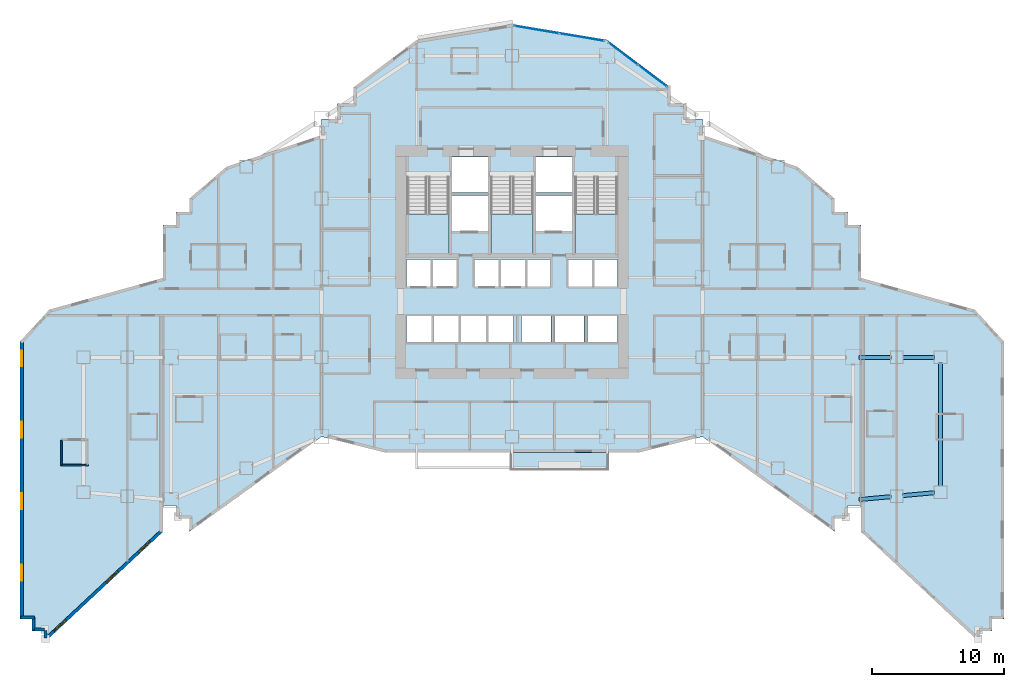
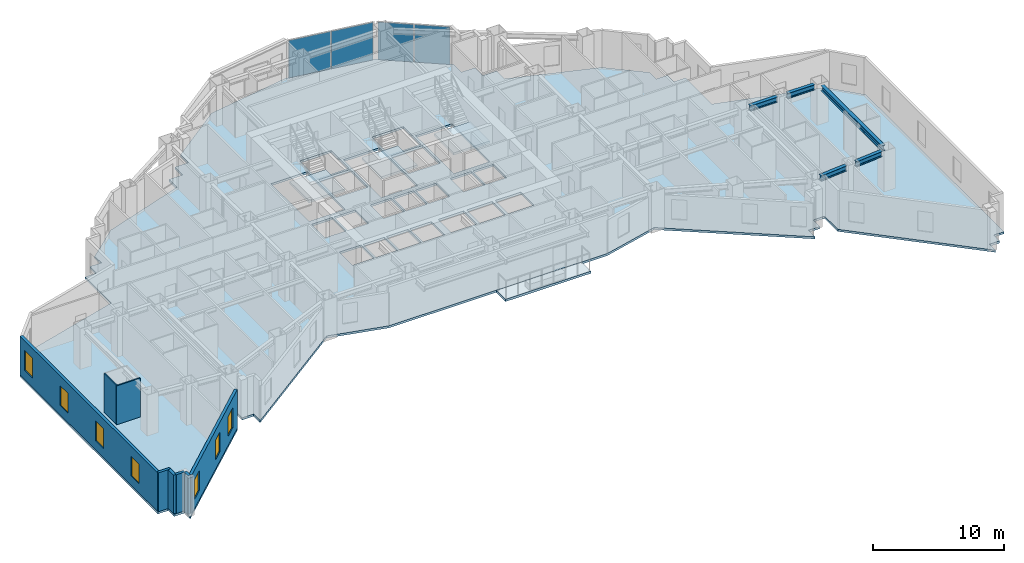
# One storey, part 6 of 17: 8 walls, 7 windows, 5 beams, 5 slabs, 4 plates, 7 openings, 5 elements without a shape of their own.
"""IFC4 building model written with IfcOpenShell, lengths in metres."""

from ifc_helpers import new_model, si_unit, direction, frame, frame_2d, origin, origin_2d, place, context, subcontext, project, spatial, polyline, rectangle, i_section, outline, extrude, material, layer, layer_set, material_profile, profile_set, type_object, element, fill, aggregate, save


model = new_model("IFC4")

# Units and contexts
model_context = context("Model", 3, precision=1e-05, world=origin(), true_north=direction((0.0, 1.0)))
body_context = subcontext(model_context, "Body", "Model", "MODEL_VIEW")
ifc_project = project(units=[si_unit("LENGTHUNIT", "METRE"), si_unit("AREAUNIT", "SQUARE_METRE"), si_unit("VOLUMEUNIT", "CUBIC_METRE"), si_unit("PLANEANGLEUNIT", "RADIAN"), si_unit("MASSUNIT", "GRAM", prefix="KILO")], contexts=[model_context])

# Site, building, storey
site_placement = place(None, origin())
site = spatial("IfcSite", under=ifc_project, at=site_placement, CompositionType="ELEMENT")
building_placement = place(site_placement, origin())
building = spatial("IfcBuilding", under=site, at=building_placement, Name="Haolan Belvedere Tower", CompositionType="ELEMENT")
storey_placement = place(building_placement, frame((0.0, 0.0, 81.800048828125)))
storey = spatial("IfcBuildingStorey", under=building, at=storey_placement, Name="L20", CompositionType="ELEMENT", Elevation=81.800048828125)

# Beams
ifc_material_1 = material(Name="Steel Q355B", Category="steel")
ifc_material_profile = material_profile(ifc_material_1, i_section(OverallWidth=0.300048828125, OverallDepth=0.488037109375, WebThickness=0.010986328125, FlangeThickness=0.01806640625, FilletRadius=0.02587890625, at=origin_2d()), Name="Steel Q355B")
ifc_profile_set = profile_set([ifc_material_profile], Name="Steel Q355B")
beam_type = type_object("IfcBeamType", Name="BM-HM488x300x11x18", PredefinedType="SPANDREL", material=ifc_profile_set)
beam_placement = place(storey_placement, frame((70.800048828125, 17.85009765625, 3.35595703125), z_axis=(0.0, 1.0, 0.0), x_axis=(-1.0, 0.0, 0.0)))
element("IfcBeam", 1, at=beam_placement, inside=storey, type_object=beam_type, Name="L20 spandrel girder MC-T5-SE-MC-T5-NE", PredefinedType="SPANDREL", context=body_context, shape_type="SweptSolid", body=[
    extrude(i_section(OverallWidth=0.300048828125, OverallDepth=0.488037109375, WebThickness=0.010986328125, FlangeThickness=0.01806640625, FilletRadius=0.02587890625, at=origin_2d()), origin(), (0.0, 0.0, 1.0), 9.2998046875),
])
for number, where, z_axis, x_axis, name in (
    (2, (64.648193359375, 16.8408203125, 3.35595703125), (0.995893206468, 0.090535746043, 0.0), (-0.090535746043, 0.995893206468, 0.0), "L20 spandrel girder MC-T4-SE-TC-T5-M1"),
    (3, (67.9482421875, 17.140625, 3.35595703125), (0.995884080761, 0.090636072764, 0.0), (-0.090636072764, 0.995884080761, 0.0), "L20 spandrel girder TC-T5-M1-MC-T5-SE"),
):
    element("IfcBeam", number, at=place(storey_placement, frame(where, z_axis=z_axis, x_axis=x_axis)), inside=storey, type_object=beam_type, Name=name, PredefinedType="SPANDREL", context=body_context, shape_type="SweptSolid", body=[
        extrude(i_section(OverallWidth=0.300048828125, OverallDepth=0.488037109375, WebThickness=0.010986328125, FlangeThickness=0.01806640625, FilletRadius=0.02587890625, at=origin_2d()), origin(), (0.0, 0.0, 1.0), 2.41357421875),
    ])
for number, where, z_axis, x_axis, name in (
    (4, (64.64990234375, 27.60009765625, 3.35595703125), (1.0, 0.0, 0.0), (0.0, 1.0, 0.0), "L20 spandrel girder MC-T4-ME-TC-T5-M2"),
    (5, (67.949951171875, 27.60009765625, 3.35595703125), (1.0, 0.0, 0.0), (0.0, 1.0, 0.0), "L20 spandrel girder TC-T5-M2-MC-T5-NE"),
):
    element("IfcBeam", number, at=place(storey_placement, frame(where, z_axis=z_axis, x_axis=x_axis)), inside=storey, type_object=beam_type, Name=name, PredefinedType="SPANDREL", context=body_context, shape_type="SweptSolid", body=[
        extrude(i_section(OverallWidth=0.300048828125, OverallDepth=0.488037109375, WebThickness=0.010986328125, FlangeThickness=0.01806640625, FilletRadius=0.02587890625, at=origin_2d()), origin(), (0.0, 0.0, 1.0), 2.400146484375),
    ])

# Curtain wall, plates
ifc_material_2 = material(Name="Anodised champagne-silver aluminium 6063-T6 and Low-E glass", Category="aluminium")
ifc_layer_1 = layer(ifc_material_2, 0.1650390625, Name="Anodised champagne-silver aluminium 6063-T6 and Low-E glass")
ifc_layer_set_1 = layer_set([ifc_layer_1], Name="Anodised champagne-silver aluminium 6063-T6 and Low-E glass")
curtain_wall_type = type_object("IfcCurtainWallType", Name="CW-SYS-02", PredefinedType="NOTDEFINED", material=ifc_layer_set_1)
curtain_wall_1_placement = place(storey_placement, origin())
curtain_wall_1 = element("IfcCurtainWall", 6, at=curtain_wall_1_placement, inside=storey, type_object=curtain_wall_type, Name="L20 CW-SYS-02 ribbon curtain wall 41.1", PredefinedType="NOTDEFINED")
ifc_material_3 = material(Name="Double silver Low-E laminated insulating glass", Category="glass")
ifc_layer_2 = layer(ifc_material_3, 0.02587890625, Name="Double silver Low-E laminated insulating glass")
ifc_layer_set_2 = layer_set([ifc_layer_2], Name="Double silver Low-E laminated insulating glass")
plate_type = type_object("IfcPlateType", Name="CW-SYS-02-PNL", PredefinedType="CURTAIN_PANEL", material=ifc_layer_set_2)
plate_1_placement = place(storey_placement, frame((49.02978515625, 48.877685546875, 0.05517578125), z_axis=(0.0, 0.0, 1.0), x_axis=(-0.800004262313, 0.599994316874, 0.0)))
plate_1 = element("IfcPlate", 7, at=plate_1_placement, type_object=plate_type, Name="CW-02 panel 1.1", PredefinedType="CURTAIN_PANEL", context=body_context, shape_type="SweptSolid", body=[
    extrude(rectangle(XDim=2.725341796875, YDim=0.02587890625, at=origin_2d()), origin(), (0.0, 0.0, 1.0), 3.489990234375),
])
plate_2_placement = place(storey_placement, frame((46.801513671875, 50.548828125, 0.05517578125), z_axis=(0.0, 0.0, 1.0), x_axis=(-0.800004262313, 0.599994316874, 0.0)))
plate_2 = element("IfcPlate", 8, at=plate_2_placement, type_object=plate_type, Name="CW-02 panel 2.1", PredefinedType="CURTAIN_PANEL", context=body_context, shape_type="SweptSolid", body=[
    extrude(rectangle(XDim=2.725341796875, YDim=0.02587890625, at=origin_2d()), origin(), (0.0, 0.0, 1.0), 3.489990234375),
])
aggregate(curtain_wall_1, [plate_1, plate_2])

curtain_wall_2_placement = place(storey_placement, origin())
curtain_wall_2 = element("IfcCurtainWall", 9, at=curtain_wall_2_placement, inside=storey, type_object=curtain_wall_type, Name="L20 CW-SYS-02 ribbon curtain wall 42.1", PredefinedType="NOTDEFINED")
plate_3_placement = place(storey_placement, frame((43.6796875, 51.79833984375, 0.05517578125), z_axis=(0.0, 0.0, 1.0), x_axis=(-0.9863931483, 0.16440364043, 0.0)))
plate_3 = element("IfcPlate", 10, at=plate_3_placement, type_object=plate_type, Name="CW-02 panel 1.1", PredefinedType="CURTAIN_PANEL", context=body_context, shape_type="SweptSolid", body=[
    extrude(rectangle(XDim=3.39501953125, YDim=0.02587890625, at=origin_2d()), origin(), (0.0, 0.0, 1.0), 3.489990234375),
])
plate_4_placement = place(storey_placement, frame((40.271728515625, 52.366455078125, 0.05517578125), z_axis=(0.0, 0.0, 1.0), x_axis=(-0.9863931483, 0.16440364043, 0.0)))
plate_4 = element("IfcPlate", 11, at=plate_4_placement, type_object=plate_type, Name="CW-02 panel 2.1", PredefinedType="CURTAIN_PANEL", context=body_context, shape_type="SweptSolid", body=[
    extrude(rectangle(XDim=3.39501953125, YDim=0.02587890625, at=origin_2d()), origin(), (0.0, 0.0, 1.0), 3.489990234375),
])
aggregate(curtain_wall_2, [plate_3, plate_4])

# Slabs
ifc_material_4 = material(Name="Concrete C40/50", Category="concrete")
ifc_layer_3 = layer(ifc_material_4, 0.2099609375, Name="Concrete C40/50")
ifc_layer_set_3 = layer_set([ifc_layer_3], Name="Concrete C40/50")
slab_type_1 = type_object("IfcSlabType", Name="SL-BAL-210", PredefinedType="FLOOR", material=ifc_layer_set_3)
slab_1_placement = place(storey_placement, frame((0.0, 0.0, -0.22998046875)))
element("IfcSlab", 12, at=slab_1_placement, inside=storey, type_object=slab_type_1, Name="L20 structural tree-planter balcony slab BAL-L20-S1", PredefinedType="FLOOR", context=body_context, shape_type="SweptSolid", body=[
    extrude(outline(polyline([(38.25, 19.02001953125), (45.75, 19.02001953125), (45.75, 20.39990234375), (38.25, 20.39990234375), (38.25, 19.02001953125)])), origin(), (0.0, 0.0, 1.0), 0.2099609375),
])
ifc_layer_4 = layer(ifc_material_4, 0.199951171875, Name="Concrete C40/50")
ifc_layer_set_4 = layer_set([ifc_layer_4], Name="Concrete C40/50")
slab_type_2 = type_object("IfcSlabType", Name="SL-FLR-200", PredefinedType="FLOOR", material=ifc_layer_set_4)
slab_2_placement = place(storey_placement, frame((0.0, 0.0, -0.199951171875)))
element("IfcSlab", 13, at=slab_2_placement, inside=storey, type_object=slab_type_2, Name="L20 structural floor slab", PredefinedType="FLOOR", context=body_context, shape_type="SweptSolid", body=[
    extrude(outline(polyline([(1.199951171875, 28.800048828125), (1.199951171875, 8.39990234375), (1.199951171875, 7.800048828125), (2.10009765625, 7.800048828125), (2.10009765625, 6.89990234375), (3.0, 6.89990234375), (3.0, 6.0), (12.0, 14.39990234375), (12.0, 16.39990234375), (13.0, 16.39990234375), (13.0, 15.39990234375), (14.0, 15.39990234375), (14.0, 14.39990234375), (24.0, 21.60009765625), (28.800048828125, 20.39990234375), (48.0, 20.39990234375), (52.800048828125, 21.60009765625), (62.800048828125, 14.39990234375), (62.800048828125, 15.39990234375), (63.800048828125, 15.39990234375), (63.800048828125, 16.39990234375), (64.800048828125, 16.39990234375), (64.800048828125, 14.39990234375), (73.800048828125, 6.0), (73.800048828125, 6.89990234375), (74.699951171875, 6.89990234375), (74.699951171875, 7.800048828125), (75.60009765625, 7.800048828125), (75.60009765625, 28.800048828125), (73.39990234375, 31.199951171875), (64.800048828125, 33.60009765625), (64.800048828125, 37.60009765625), (63.800048828125, 37.60009765625), (63.800048828125, 38.60009765625), (62.800048828125, 38.60009765625), (62.800048828125, 39.60009765625), (60.0, 42.0), (52.800048828125, 44.39990234375), (52.800048828125, 45.60009765625), (51.60009765625, 45.60009765625), (51.60009765625, 46.800048828125), (50.39990234375, 46.800048828125), (50.39990234375, 48.0), (45.60009765625, 51.60009765625), (38.39990234375, 52.800048828125), (31.199951171875, 51.60009765625), (26.39990234375, 48.0), (26.39990234375, 46.800048828125), (25.199951171875, 46.800048828125), (25.199951171875, 45.60009765625), (24.0, 45.60009765625), (24.0, 44.39990234375), (16.800048828125, 42.0), (14.0, 39.60009765625), (14.0, 38.60009765625), (13.0, 38.60009765625), (13.0, 37.60009765625), (12.0, 37.60009765625), (12.0, 33.60009765625), (3.39990234375, 31.199951171875), (1.199951171875, 28.800048828125)]), holes=[polyline([(30.449951171875, 41.22998046875), (30.449951171875, 35.449951171875), (33.6298828125, 35.449951171875), (33.6298828125, 41.22998046875), (30.449951171875, 41.22998046875)]), polyline([(36.81005859375, 41.22998046875), (36.81005859375, 35.449951171875), (39.989990234375, 35.449951171875), (39.989990234375, 41.22998046875), (36.81005859375, 41.22998046875)]), polyline([(43.169921875, 41.22998046875), (43.169921875, 35.449951171875), (46.35009765625, 35.449951171875), (46.35009765625, 41.22998046875), (43.169921875, 41.22998046875)]), polyline([(33.830078125, 40.050048828125), (36.610107421875, 40.050048828125), (36.610107421875, 42.75), (33.830078125, 42.75), (33.830078125, 40.050048828125)]), polyline([(33.830078125, 37.14990234375), (36.610107421875, 37.14990234375), (36.610107421875, 39.85009765625), (33.830078125, 39.85009765625), (33.830078125, 37.14990234375)]), polyline([(40.18994140625, 40.050048828125), (42.969970703125, 40.050048828125), (42.969970703125, 42.75), (40.18994140625, 42.75), (40.18994140625, 40.050048828125)]), polyline([(40.18994140625, 37.14990234375), (42.969970703125, 37.14990234375), (42.969970703125, 39.85009765625), (40.18994140625, 39.85009765625), (40.18994140625, 37.14990234375)]), polyline([(30.419921875, 32.949951171875), (32.27001953125, 32.949951171875), (32.27001953125, 35.0), (30.419921875, 35.0), (30.419921875, 32.949951171875)]), polyline([(32.409912109375, 32.949951171875), (34.260009765625, 32.949951171875), (34.260009765625, 35.0), (32.409912109375, 35.0), (32.409912109375, 32.949951171875)]), polyline([(35.56005859375, 32.949951171875), (37.409912109375, 32.949951171875), (37.409912109375, 35.0), (35.56005859375, 35.0), (35.56005859375, 32.949951171875)]), polyline([(37.550048828125, 32.949951171875), (39.39990234375, 32.949951171875), (39.39990234375, 35.0), (37.550048828125, 35.0), (37.550048828125, 32.949951171875)]), polyline([(39.5400390625, 32.949951171875), (41.389892578125, 32.949951171875), (41.389892578125, 35.0), (39.5400390625, 35.0), (39.5400390625, 32.949951171875)]), polyline([(42.6201171875, 32.949951171875), (44.469970703125, 32.949951171875), (44.469970703125, 35.0), (42.6201171875, 35.0), (42.6201171875, 32.949951171875)]), polyline([(44.580078125, 32.949951171875), (46.3798828125, 32.949951171875), (46.3798828125, 35.0), (44.580078125, 35.0), (44.580078125, 32.949951171875)]), polyline([(30.419921875, 28.75), (32.320068359375, 28.75), (32.320068359375, 30.75), (30.419921875, 30.75), (30.419921875, 28.75)]), polyline([(32.47998046875, 28.75), (34.3798828125, 28.75), (34.3798828125, 30.75), (32.47998046875, 30.75), (32.47998046875, 28.75)]), polyline([(34.5400390625, 28.75), (36.43994140625, 28.75), (36.43994140625, 30.75), (34.5400390625, 30.75), (34.5400390625, 28.75)]), polyline([(36.60009765625, 28.75), (38.5, 28.75), (38.5, 30.75), (36.60009765625, 30.75), (36.60009765625, 28.75)]), polyline([(39.10009765625, 28.75), (41.340087890625, 28.75), (41.340087890625, 30.75), (39.10009765625, 30.75), (39.10009765625, 28.75)]), polyline([(41.610107421875, 28.75), (43.85009765625, 28.75), (43.85009765625, 30.75), (41.610107421875, 30.75), (41.610107421875, 28.75)]), polyline([(44.1201171875, 28.75), (46.360107421875, 28.75), (46.360107421875, 30.75), (44.1201171875, 30.75), (44.1201171875, 28.75)])]), origin(), (0.0, 0.0, 1.0), 0.199951171875),
])

# Stair, slab
stair_type = type_object("IfcStairType", Name="STR-DL-22R-173", PredefinedType="HALF_TURN_STAIR", material=ifc_material_4)
stair_1_placement = place(storey_placement, origin())
stair_1 = element("IfcStair", 14, at=stair_1_placement, inside=storey, type_object=stair_type, Name="L20 Smokeproof Core Exit Stair ST1", PredefinedType="HALF_TURN_STAIR")
ifc_layer_5 = layer(ifc_material_4, 0.199951171875, Name="Concrete C40/50")
ifc_layer_set_5 = layer_set([ifc_layer_5], Name="Concrete C40/50")
slab_type_3 = type_object("IfcSlabType", Name="SL-LAND-200", PredefinedType="LANDING", material=ifc_layer_set_5)
slab_3_placement = place(storey_placement, frame((0.0, 0.0, 1.699951171875)))
slab_3 = element("IfcSlab", 15, at=slab_3_placement, type_object=slab_type_3, Name="ST1 landing 1", PredefinedType="LANDING", context=body_context, shape_type="SweptSolid", body=[
    extrude(outline(polyline([(30.449951171875, 38.429931640625), (30.449951171875, 35.449951171875), (33.6298828125, 35.449951171875), (33.6298828125, 38.429931640625), (30.449951171875, 38.429931640625)])), origin(), (0.0, 0.0, 1.0), 0.199951171875),
])
aggregate(stair_1, [slab_3])

stair_2_placement = place(storey_placement, origin())
stair_2 = element("IfcStair", 16, at=stair_2_placement, inside=storey, type_object=stair_type, Name="L20 Smokeproof Core Exit Stair ST3", PredefinedType="HALF_TURN_STAIR")
slab_4_placement = place(storey_placement, frame((0.0, 0.0, 1.699951171875)))
slab_4 = element("IfcSlab", 17, at=slab_4_placement, type_object=slab_type_3, Name="ST3 landing 1", PredefinedType="LANDING", context=body_context, shape_type="SweptSolid", body=[
    extrude(outline(polyline([(36.81005859375, 38.429931640625), (36.81005859375, 35.449951171875), (39.989990234375, 35.449951171875), (39.989990234375, 38.429931640625), (36.81005859375, 38.429931640625)])), origin(), (0.0, 0.0, 1.0), 0.199951171875),
])
aggregate(stair_2, [slab_4])

stair_3_placement = place(storey_placement, origin())
stair_3 = element("IfcStair", 18, at=stair_3_placement, inside=storey, type_object=stair_type, Name="L20 Smokeproof Core Exit Stair ST2", PredefinedType="HALF_TURN_STAIR")
slab_5_placement = place(storey_placement, frame((0.0, 0.0, 1.699951171875)))
slab_5 = element("IfcSlab", 19, at=slab_5_placement, type_object=slab_type_3, Name="ST2 landing 1", PredefinedType="LANDING", context=body_context, shape_type="SweptSolid", body=[
    extrude(outline(polyline([(43.169921875, 38.429931640625), (43.169921875, 35.449951171875), (46.35009765625, 35.449951171875), (46.35009765625, 38.429931640625), (43.169921875, 38.429931640625)])), origin(), (0.0, 0.0, 1.0), 0.199951171875),
])
aggregate(stair_3, [slab_5])

# Walls
ifc_material_5 = material(Name="Precast concrete C40/50", Category="concrete")
ifc_layer_6 = layer(ifc_material_5, 0.239990234375, Name="Precast concrete C40/50")
ifc_layer_set_6 = layer_set([ifc_layer_6], Name="Precast concrete C40/50")
wall_type_1 = type_object("IfcWallType", Name="WL-EXT-240", PredefinedType="SOLIDWALL", material=ifc_layer_set_6)
for number, where, z_axis, x_axis, name in (
    (20, (1.264892578125, 7.919921875, 0.0), (0.0, 0.0, 1.0), (1.0, 0.0, 0.0), "L20 pale-metal exterior spandrel wall 1.1"),
    (21, (2.219970703125, 7.97509765625, 0.0), (0.0, 0.0, 1.0), (0.0, -1.0, 0.0), "L20 pale-metal exterior spandrel wall 2.1"),
):
    element("IfcWall", number, at=place(storey_placement, frame(where, z_axis=z_axis, x_axis=x_axis)), inside=storey, type_object=wall_type_1, Name=name, PredefinedType="SOLIDWALL", context=body_context, shape_type="SweptSolid", body=[
        extrude(rectangle(XDim=1.010009765625, YDim=0.239990234375, at=frame_2d((0.5048828125, 0.0))), origin(), (0.0, 0.0, 1.0), 3.599853515625),
    ])
wall_1_placement = place(storey_placement, frame((2.300048828125, 7.02001953125, 0.0), z_axis=(0.0, 0.0, 1.0), x_axis=(1.0, 0.0, 0.0)))
element("IfcWall", 22, at=wall_1_placement, inside=storey, type_object=wall_type_1, Name="L20 pale-metal exterior spandrel wall 3.1", PredefinedType="SOLIDWALL", context=body_context, shape_type="SweptSolid", body=[
    extrude(rectangle(XDim=0.73486328125, YDim=0.239990234375, at=frame_2d((0.367431640625, 0.0))), origin(), (0.0, 0.0, 1.0), 3.599853515625),
])
wall_2_placement = place(storey_placement, frame((3.1201171875, 6.93505859375, 0.0), z_axis=(0.0, 0.0, 1.0), x_axis=(0.0, -1.0, 0.0)))
element("IfcWall", 23, at=wall_2_placement, inside=storey, type_object=wall_type_1, Name="L20 pale-metal exterior spandrel wall 4.1", PredefinedType="SOLIDWALL", context=body_context, shape_type="SweptSolid", body=[
    extrude(rectangle(XDim=0.573974609375, YDim=0.239990234375, at=frame_2d((0.287109375, 0.0))), origin(), (0.0, 0.0, 1.0), 3.599853515625),
])

# Wall, openings, windows
wall_3_placement = place(storey_placement, frame((3.269775390625, 6.416015625, 0.0), z_axis=(0.0, 0.0, 1.0), x_axis=(0.731064187858, 0.682308693505, 0.0)))
wall_3 = element("IfcWall", 24, at=wall_3_placement, inside=storey, type_object=wall_type_1, Name="L20 pale-metal exterior spandrel wall 5.1", PredefinedType="SOLIDWALL", context=body_context, shape_type="SweptSolid", body=[
    extrude(rectangle(XDim=11.83251953125, YDim=0.239990234375, at=frame_2d((5.916259765625, 0.0))), origin(), (0.0, 0.0, 1.0), 3.599853515625),
])
opening_1_placement = place(wall_3_placement, frame((0.699951171875, 0.0, 0.85009765625)))
opening_1 = element("IfcOpeningElement", 25, at=opening_1_placement, cuts=wall_3, Name="Opening W-01", PredefinedType="OPENING", context=body_context, shape_type="SweptSolid", body=[
    extrude(rectangle(XDim=1.199951171875, YDim=1.85009765625, at=frame_2d((0.60009765625, 0.925048828125))), frame((0.0, 0.1298828125, 0.0), z_axis=(0.0, -1.0, 0.0), x_axis=(1.0, 0.0, 0.0)), (0.0, 0.0, 1.0), 0.260009765625),
])
opening_2_placement = place(wall_3_placement, frame((6.10009765625, 0.0, 0.85009765625)))
opening_2 = element("IfcOpeningElement", 26, at=opening_2_placement, cuts=wall_3, Name="Opening W-01", PredefinedType="OPENING", context=body_context, shape_type="SweptSolid", body=[
    extrude(rectangle(XDim=1.199951171875, YDim=1.85009765625, at=frame_2d((0.60009765625, 0.925048828125))), frame((0.0, 0.1298828125, 0.0), z_axis=(0.0, -1.0, 0.0), x_axis=(1.0, 0.0, 0.0)), (0.0, 0.0, 1.0), 0.260009765625),
])
opening_3_placement = place(wall_3_placement, frame((9.4208984375, 0.0, 0.85009765625)))
opening_3 = element("IfcOpeningElement", 27, at=opening_3_placement, cuts=wall_3, Name="Opening W-01", PredefinedType="OPENING", context=body_context, shape_type="SweptSolid", body=[
    extrude(rectangle(XDim=1.199951171875, YDim=1.85009765625, at=frame_2d((0.60009765625, 0.925048828125))), frame((0.0, 0.1298828125, 0.0), z_axis=(0.0, -1.0, 0.0), x_axis=(1.0, 0.0, 0.0)), (0.0, 0.0, 1.0), 0.260009765625),
])
ifc_material_6 = material(Name="Anodised aluminium 6063-T6 and Low-E glass", Category="aluminium")
window_type = type_object("IfcWindowType", Name="WN-DECO-Z1", PartitioningType="SINGLE_PANEL", PredefinedType="WINDOW", material=ifc_material_6)
window_1_placement = place(opening_1_placement, origin())
window_1 = element("IfcWindow", 28, at=window_1_placement, inside=storey, type_object=window_type, Name="L20 Art Deco chevron window 1", OverallHeight=1.85009765625, OverallWidth=1.199951171875, PartitioningType="SINGLE_PANEL", PredefinedType="WINDOW", context=body_context, shape_type="SweptSolid", body=[
    extrude(rectangle(XDim=1.199951171875, YDim=1.85009765625, at=frame_2d((0.60009765625, 0.925048828125))), frame((0.0, 0.030029296875, 0.0), z_axis=(0.0, -1.0, 0.0), x_axis=(1.0, 0.0, 0.0)), (0.0, 0.0, 1.0), 0.06005859375),
])
fill(opening_1, window_1)
window_2_placement = place(opening_2_placement, origin())
window_2 = element("IfcWindow", 29, at=window_2_placement, inside=storey, type_object=window_type, Name="L20 Art Deco chevron window 2", OverallHeight=1.85009765625, OverallWidth=1.199951171875, PartitioningType="SINGLE_PANEL", PredefinedType="WINDOW", context=body_context, shape_type="SweptSolid", body=[
    extrude(rectangle(XDim=1.199951171875, YDim=1.85009765625, at=frame_2d((0.60009765625, 0.925048828125))), frame((0.0, 0.030029296875, 0.0), z_axis=(0.0, -1.0, 0.0), x_axis=(1.0, 0.0, 0.0)), (0.0, 0.0, 1.0), 0.06005859375),
])
fill(opening_2, window_2)
window_3_placement = place(opening_3_placement, origin())
window_3 = element("IfcWindow", 30, at=window_3_placement, inside=storey, type_object=window_type, Name="L20 Art Deco guestroom window 3", OverallHeight=1.85009765625, OverallWidth=1.199951171875, PartitioningType="SINGLE_PANEL", PredefinedType="WINDOW", context=body_context, shape_type="SweptSolid", body=[
    extrude(rectangle(XDim=1.199951171875, YDim=1.85009765625, at=frame_2d((0.60009765625, 0.925048828125))), frame((0.0, 0.030029296875, 0.0), z_axis=(0.0, -1.0, 0.0), x_axis=(1.0, 0.0, 0.0)), (0.0, 0.0, 1.0), 0.06005859375),
])
fill(opening_3, window_3)

wall_4_placement = place(storey_placement, frame((1.320068359375, 28.808349609375, 0.0), z_axis=(0.0, 0.0, 1.0), x_axis=(0.0, -1.0, 0.0)))
wall_4 = element("IfcWall", 31, at=wall_4_placement, inside=storey, type_object=wall_type_1, Name="L20 pale-metal exterior spandrel wall 59.1", PredefinedType="SOLIDWALL", context=body_context, shape_type="SweptSolid", body=[
    extrude(rectangle(XDim=20.943359375, YDim=0.239990234375, at=frame_2d((10.4716796875, 0.0))), origin(), (0.0, 0.0, 1.0), 3.599853515625),
])
opening_4_placement = place(wall_4_placement, frame((0.699951171875, 0.0, 0.85009765625)))
opening_4 = element("IfcOpeningElement", 32, at=opening_4_placement, cuts=wall_4, Name="Opening W-01", PredefinedType="OPENING", context=body_context, shape_type="SweptSolid", body=[
    extrude(rectangle(XDim=1.199951171875, YDim=1.85009765625, at=frame_2d((0.60009765625, 0.925048828125))), frame((0.0, 0.1298828125, 0.0), z_axis=(0.0, -1.0, 0.0), x_axis=(1.0, 0.0, 0.0)), (0.0, 0.0, 1.0), 0.260009765625),
])
opening_5_placement = place(wall_4_placement, frame((6.10009765625, 0.0, 0.85009765625)))
opening_5 = element("IfcOpeningElement", 33, at=opening_5_placement, cuts=wall_4, Name="Opening W-01", PredefinedType="OPENING", context=body_context, shape_type="SweptSolid", body=[
    extrude(rectangle(XDim=1.199951171875, YDim=1.85009765625, at=frame_2d((0.60009765625, 0.925048828125))), frame((0.0, 0.1298828125, 0.0), z_axis=(0.0, -1.0, 0.0), x_axis=(1.0, 0.0, 0.0)), (0.0, 0.0, 1.0), 0.260009765625),
])
opening_6_placement = place(wall_4_placement, frame((11.5, 0.0, 0.85009765625)))
opening_6 = element("IfcOpeningElement", 34, at=opening_6_placement, cuts=wall_4, Name="Opening W-01", PredefinedType="OPENING", context=body_context, shape_type="SweptSolid", body=[
    extrude(rectangle(XDim=1.199951171875, YDim=1.85009765625, at=frame_2d((0.60009765625, 0.925048828125))), frame((0.0, 0.1298828125, 0.0), z_axis=(0.0, -1.0, 0.0), x_axis=(1.0, 0.0, 0.0)), (0.0, 0.0, 1.0), 0.260009765625),
])
opening_7_placement = place(wall_4_placement, frame((16.89990234375, 0.0, 0.85009765625)))
opening_7 = element("IfcOpeningElement", 35, at=opening_7_placement, cuts=wall_4, Name="Opening W-01", PredefinedType="OPENING", context=body_context, shape_type="SweptSolid", body=[
    extrude(rectangle(XDim=1.199951171875, YDim=1.85009765625, at=frame_2d((0.60009765625, 0.925048828125))), frame((0.0, 0.1298828125, 0.0), z_axis=(0.0, -1.0, 0.0), x_axis=(1.0, 0.0, 0.0)), (0.0, 0.0, 1.0), 0.260009765625),
])
window_4_placement = place(opening_4_placement, origin())
window_4 = element("IfcWindow", 36, at=window_4_placement, inside=storey, type_object=window_type, Name="L20 Art Deco chevron window 1", OverallHeight=1.85009765625, OverallWidth=1.199951171875, PartitioningType="SINGLE_PANEL", PredefinedType="WINDOW", context=body_context, shape_type="SweptSolid", body=[
    extrude(rectangle(XDim=1.199951171875, YDim=1.85009765625, at=frame_2d((0.60009765625, 0.925048828125))), frame((0.0, 0.030029296875, 0.0), z_axis=(0.0, -1.0, 0.0), x_axis=(1.0, 0.0, 0.0)), (0.0, 0.0, 1.0), 0.06005859375),
])
fill(opening_4, window_4)
window_5_placement = place(opening_5_placement, origin())
window_5 = element("IfcWindow", 37, at=window_5_placement, inside=storey, type_object=window_type, Name="L20 Art Deco chevron window 2", OverallHeight=1.85009765625, OverallWidth=1.199951171875, PartitioningType="SINGLE_PANEL", PredefinedType="WINDOW", context=body_context, shape_type="SweptSolid", body=[
    extrude(rectangle(XDim=1.199951171875, YDim=1.85009765625, at=frame_2d((0.60009765625, 0.925048828125))), frame((0.0, 0.030029296875, 0.0), z_axis=(0.0, -1.0, 0.0), x_axis=(1.0, 0.0, 0.0)), (0.0, 0.0, 1.0), 0.06005859375),
])
fill(opening_5, window_5)
window_6_placement = place(opening_6_placement, origin())
window_6 = element("IfcWindow", 38, at=window_6_placement, inside=storey, type_object=window_type, Name="L20 Art Deco chevron window 3", OverallHeight=1.85009765625, OverallWidth=1.199951171875, PartitioningType="SINGLE_PANEL", PredefinedType="WINDOW", context=body_context, shape_type="SweptSolid", body=[
    extrude(rectangle(XDim=1.199951171875, YDim=1.85009765625, at=frame_2d((0.60009765625, 0.925048828125))), frame((0.0, 0.030029296875, 0.0), z_axis=(0.0, -1.0, 0.0), x_axis=(1.0, 0.0, 0.0)), (0.0, 0.0, 1.0), 0.06005859375),
])
fill(opening_6, window_6)
window_7_placement = place(opening_7_placement, origin())
window_7 = element("IfcWindow", 39, at=window_7_placement, inside=storey, type_object=window_type, Name="L20 Art Deco chevron window 4", OverallHeight=1.85009765625, OverallWidth=1.199951171875, PartitioningType="SINGLE_PANEL", PredefinedType="WINDOW", context=body_context, shape_type="SweptSolid", body=[
    extrude(rectangle(XDim=1.199951171875, YDim=1.85009765625, at=frame_2d((0.60009765625, 0.925048828125))), frame((0.0, 0.030029296875, 0.0), z_axis=(0.0, -1.0, 0.0), x_axis=(1.0, 0.0, 0.0)), (0.0, 0.0, 1.0), 0.06005859375),
])
fill(opening_7, window_7)

# Walls
ifc_material_7 = material(Name="Moisture-resistant gypsum tile partition", Category="masonry")
ifc_layer_7 = layer(ifc_material_7, 0.1201171875, Name="Moisture-resistant gypsum tile partition")
ifc_layer_set_7 = layer_set([ifc_layer_7], Name="Moisture-resistant gypsum tile partition")
wall_type_2 = type_object("IfcWallType", Name="WL-WET-120", PredefinedType="PARTITIONING", material=ifc_layer_set_7)
wall_5_placement = place(storey_placement, frame((4.264892578125, 19.444091796875, 0.0), z_axis=(0.0, 0.0, 1.0), x_axis=(1.0, 0.0, 0.0)))
element("IfcWall", 40, at=wall_5_placement, inside=storey, type_object=wall_type_2, Name="L20 interior partition IW-L20-T1S1-BS", PredefinedType="PARTITIONING", context=body_context, shape_type="SweptSolid", body=[
    extrude(rectangle(XDim=2.10009765625, YDim=0.1201171875, at=frame_2d((1.050048828125, 0.0))), origin(), (0.0, 0.0, 1.0), 3.599853515625),
])
wall_6_placement = place(storey_placement, frame((4.324951171875, 19.489013671875, 0.0), z_axis=(0.0, 0.0, 1.0), x_axis=(0.0, 1.0, 0.0)))
element("IfcWall", 41, at=wall_6_placement, inside=storey, type_object=wall_type_2, Name="L20 interior partition IW-L20-T1S1-BW", PredefinedType="PARTITIONING", context=body_context, shape_type="SweptSolid", body=[
    extrude(rectangle(XDim=1.830078125, YDim=0.1201171875, at=frame_2d((0.9150390625, 0.0))), origin(), (0.0, 0.0, 1.0), 3.599853515625),
])

save(model, "model.ifc")
